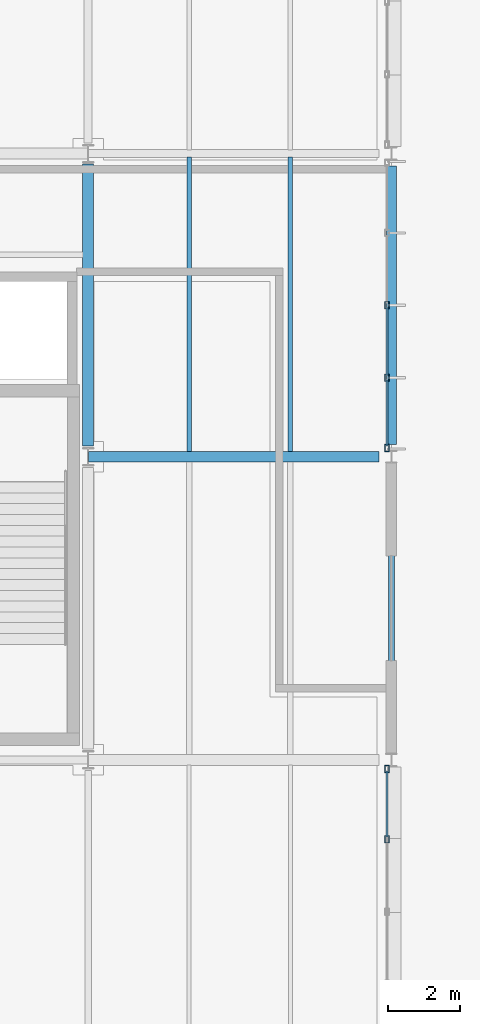
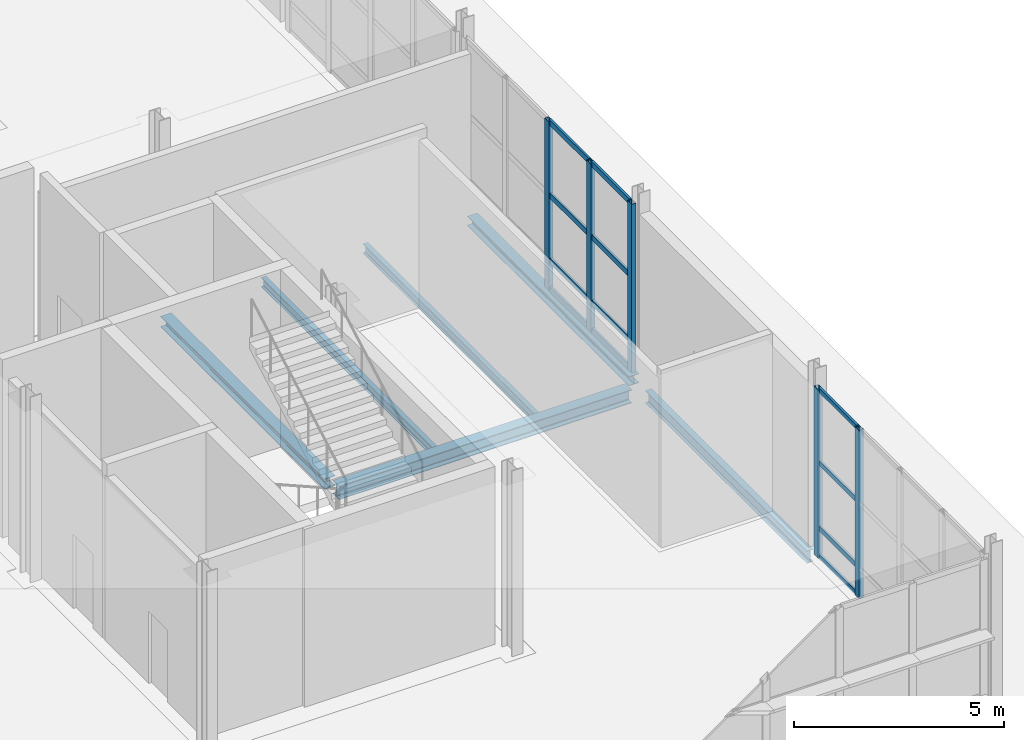
# One storey, part 56 of 124: 17 members, 6 beams, 2 elements without a shape of their own.
"""IFC4 building model written with IfcOpenShell, lengths in metres."""

from ifc_helpers import new_model, si_unit, direction, frame, origin, origin_2d, place, context, subcontext, project, spatial, hollow_rectangle, i_section, extrude, material, material_profile, profile_set, type_object, element, aggregate, save


model = new_model("IFC4")

# Units and contexts
model_context = context("Model", 3, precision=1e-05, world=origin(), true_north=direction((0.0, 1.0)))
body_context = subcontext(model_context, "Body", "Model", "MODEL_VIEW")
ifc_project = project(units=[si_unit("LENGTHUNIT", "METRE"), si_unit("AREAUNIT", "SQUARE_METRE"), si_unit("VOLUMEUNIT", "CUBIC_METRE"), si_unit("PLANEANGLEUNIT", "RADIAN"), si_unit("MASSUNIT", "GRAM", prefix="KILO")], contexts=[model_context])

# Site, building, storey
site_placement = place(None, origin())
site = spatial("IfcSite", under=ifc_project, at=site_placement, CompositionType="ELEMENT")
building_placement = place(site_placement, origin())
building = spatial("IfcBuilding", under=site, at=building_placement, Name="Mersafa Astral City Hall", CompositionType="ELEMENT")
storey_placement = place(building_placement, origin())
storey = spatial("IfcBuildingStorey", under=building, at=storey_placement, Name="L00", CompositionType="ELEMENT", Elevation=0.0)

# Curtain wall, members
ifc_material_1 = material(Name="Anodised bronze aluminium framing", Category="aluminium")
curtain_wall_type_1 = type_object("IfcCurtainWallType", Name="ENV-CW-2", PredefinedType="USERDEFINED", material=ifc_material_1)
curtain_wall_1_placement = place(storey_placement, origin())
curtain_wall_1 = element("IfcCurtainWall", 1, at=curtain_wall_1_placement, inside=storey, type_object=curtain_wall_type_1, Name="L00 Unitised solar curtain wall 25", ObjectType="UNITISED CURTAIN WALL", PredefinedType="USERDEFINED")
ifc_material_profile_1 = material_profile(ifc_material_1, hollow_rectangle(XDim=0.1201171875, YDim=0.199951171875, WallThickness=0.008056640625, at=origin_2d()), Name="RHS 120x200x8")
ifc_profile_set_1 = profile_set([ifc_material_profile_1], Name="Anodised bronze aluminium framing")
member_type_1 = type_object("IfcMemberType", Name="ENV-CW-MUL-2", PredefinedType="MULLION", material=ifc_profile_set_1)
member_1_placement = place(storey_placement, frame((184.679931640625, 48.201416015625, -0.001953125), z_axis=(0.0, 0.0, 1.0), x_axis=(-1.0, 0.0, 0.0)))
member_1 = element("IfcMember", 2, at=member_1_placement, type_object=member_type_1, Name="CW-2 mullion 4", PredefinedType="MULLION", context=body_context, shape_type="SweptSolid", body=[
    extrude(hollow_rectangle(XDim=0.1201171875, YDim=0.199951171875, WallThickness=0.008056640625, at=origin_2d()), origin(), (0.0, 0.0, 1.0), 4.904052734375),
])
member_2_placement = place(storey_placement, frame((184.679931640625, 50.14794921875, -0.001953125), z_axis=(0.0, 0.0, 1.0), x_axis=(-1.0, 0.0, 0.0)))
member_2 = element("IfcMember", 3, at=member_2_placement, type_object=member_type_1, Name="CW-2 mullion 5", PredefinedType="MULLION", context=body_context, shape_type="SweptSolid", body=[
    extrude(hollow_rectangle(XDim=0.1201171875, YDim=0.199951171875, WallThickness=0.008056640625, at=origin_2d()), origin(), (0.0, 0.0, 1.0), 4.904052734375),
])

curtain_wall_type_2 = type_object("IfcCurtainWallType", Name="ENV-CW-3", PredefinedType="USERDEFINED", material=ifc_material_1)
curtain_wall_2_placement = place(storey_placement, origin())
curtain_wall_2 = element("IfcCurtainWall", 4, at=curtain_wall_2_placement, inside=storey, type_object=curtain_wall_type_2, Name="L00 Unitised solar curtain wall 26", ObjectType="UNITISED CURTAIN WALL", PredefinedType="USERDEFINED")
member_3_placement = place(storey_placement, frame((184.679931640625, 59.0419921875, -0.001953125), z_axis=(0.0, 0.0, 1.0), x_axis=(-1.0, 0.0, 0.0)))
member_3 = element("IfcMember", 5, at=member_3_placement, type_object=member_type_1, Name="CW-3 mullion 1", PredefinedType="MULLION", context=body_context, shape_type="SweptSolid", body=[
    extrude(hollow_rectangle(XDim=0.1201171875, YDim=0.199951171875, WallThickness=0.008056640625, at=origin_2d()), origin(), (0.0, 0.0, 1.0), 4.904052734375),
])
member_4_placement = place(storey_placement, frame((184.679931640625, 60.988525390625, -0.001953125), z_axis=(0.0, 0.0, 1.0), x_axis=(-1.0, 0.0, 0.0)))
member_4 = element("IfcMember", 6, at=member_4_placement, type_object=member_type_1, Name="CW-3 mullion 2", PredefinedType="MULLION", context=body_context, shape_type="SweptSolid", body=[
    extrude(hollow_rectangle(XDim=0.1201171875, YDim=0.199951171875, WallThickness=0.008056640625, at=origin_2d()), origin(), (0.0, 0.0, 1.0), 4.904052734375),
])
member_5_placement = place(storey_placement, frame((184.679931640625, 62.9951171875, -0.001953125), z_axis=(0.0, 0.0, 1.0), x_axis=(-1.0, 0.0, 0.0)))
member_5 = element("IfcMember", 7, at=member_5_placement, type_object=member_type_1, Name="CW-3 mullion 3", PredefinedType="MULLION", context=body_context, shape_type="SweptSolid", body=[
    extrude(hollow_rectangle(XDim=0.1201171875, YDim=0.199951171875, WallThickness=0.008056640625, at=origin_2d()), origin(), (0.0, 0.0, 1.0), 4.904052734375),
])

# Member
ifc_material_profile_2 = material_profile(ifc_material_1, hollow_rectangle(XDim=0.06005859375, YDim=0.139892578125, WallThickness=0.00390625, at=origin_2d()), Name="RHS 60x140x4")
ifc_profile_set_2 = profile_set([ifc_material_profile_2], Name="Anodised bronze aluminium framing")
member_type_2 = type_object("IfcMemberType", Name="ENV-CW-TRN-1", PredefinedType="USERDEFINED", material=ifc_profile_set_2)
member_6_placement = place(storey_placement, frame((184.679931640625, 48.261474609375, 0.028076171875), z_axis=(0.0, 1.0, 0.0), x_axis=(-1.0, 0.0, 0.0)))
member_6 = element("IfcMember", 8, at=member_6_placement, type_object=member_type_2, Name="CW-2 transom 4.1", ObjectType="TRANSOM", PredefinedType="USERDEFINED", context=body_context, shape_type="SweptSolid", body=[
    extrude(hollow_rectangle(XDim=0.06005859375, YDim=0.139892578125, WallThickness=0.00390625, at=origin_2d()), origin(), (0.0, 0.0, 1.0), 1.826416015625),
])

member_7_placement = place(storey_placement, frame((184.679931640625, 48.261474609375, 0.85009765625), z_axis=(0.0, 1.0, 0.0), x_axis=(-1.0, 0.0, 0.0)))
member_7 = element("IfcMember", 9, at=member_7_placement, type_object=member_type_2, Name="CW-2 transom 4.2", ObjectType="TRANSOM", PredefinedType="USERDEFINED", context=body_context, shape_type="SweptSolid", body=[
    extrude(hollow_rectangle(XDim=0.06005859375, YDim=0.139892578125, WallThickness=0.00390625, at=origin_2d()), origin(), (0.0, 0.0, 1.0), 1.826416015625),
])

member_8_placement = place(storey_placement, frame((184.679931640625, 48.261474609375, 2.75), z_axis=(0.0, 1.0, 0.0), x_axis=(-1.0, 0.0, 0.0)))
member_8 = element("IfcMember", 10, at=member_8_placement, type_object=member_type_2, Name="CW-2 transom 4.3", ObjectType="TRANSOM", PredefinedType="USERDEFINED", context=body_context, shape_type="SweptSolid", body=[
    extrude(hollow_rectangle(XDim=0.06005859375, YDim=0.139892578125, WallThickness=0.00390625, at=origin_2d()), origin(), (0.0, 0.0, 1.0), 1.826416015625),
])

member_9_placement = place(storey_placement, frame((184.679931640625, 48.261474609375, 4.8720703125), z_axis=(0.0, 1.0, 0.0), x_axis=(-1.0, 0.0, 0.0)))
member_9 = element("IfcMember", 11, at=member_9_placement, type_object=member_type_2, Name="CW-2 transom 4.4", ObjectType="TRANSOM", PredefinedType="USERDEFINED", context=body_context, shape_type="SweptSolid", body=[
    extrude(hollow_rectangle(XDim=0.06005859375, YDim=0.139892578125, WallThickness=0.00390625, at=origin_2d()), origin(), (0.0, 0.0, 1.0), 1.826416015625),
])

aggregate(curtain_wall_1, [member_1, member_2, member_6, member_7, member_8, member_9])

ifc_material_profile_3 = material_profile(ifc_material_1, hollow_rectangle(XDim=0.06005859375, YDim=0.159912109375, WallThickness=0.00390625, at=origin_2d()), Name="RHS 60x160x4")
ifc_profile_set_3 = profile_set([ifc_material_profile_3], Name="Anodised bronze aluminium framing")
member_type_3 = type_object("IfcMemberType", Name="ENV-CW-TRN-2", PredefinedType="USERDEFINED", material=ifc_profile_set_3)
member_10_placement = place(storey_placement, frame((184.679931640625, 59.10205078125, 0.028076171875), z_axis=(0.0, 1.0, 0.0), x_axis=(-1.0, 0.0, 0.0)))
member_10 = element("IfcMember", 12, at=member_10_placement, type_object=member_type_3, Name="CW-3 transom 1.1", ObjectType="TRANSOM", PredefinedType="USERDEFINED", context=body_context, shape_type="SweptSolid", body=[
    extrude(hollow_rectangle(XDim=0.06005859375, YDim=0.159912109375, WallThickness=0.00390625, at=origin_2d()), origin(), (0.0, 0.0, 1.0), 1.826416015625),
])

member_11_placement = place(storey_placement, frame((184.679931640625, 59.10205078125, 0.85009765625), z_axis=(0.0, 1.0, 0.0), x_axis=(-1.0, 0.0, 0.0)))
member_11 = element("IfcMember", 13, at=member_11_placement, type_object=member_type_3, Name="CW-3 transom 1.2", ObjectType="TRANSOM", PredefinedType="USERDEFINED", context=body_context, shape_type="SweptSolid", body=[
    extrude(hollow_rectangle(XDim=0.06005859375, YDim=0.159912109375, WallThickness=0.00390625, at=origin_2d()), origin(), (0.0, 0.0, 1.0), 1.826416015625),
])

member_12_placement = place(storey_placement, frame((184.679931640625, 59.10205078125, 2.75), z_axis=(0.0, 1.0, 0.0), x_axis=(-1.0, 0.0, 0.0)))
member_12 = element("IfcMember", 14, at=member_12_placement, type_object=member_type_3, Name="CW-3 transom 1.3", ObjectType="TRANSOM", PredefinedType="USERDEFINED", context=body_context, shape_type="SweptSolid", body=[
    extrude(hollow_rectangle(XDim=0.06005859375, YDim=0.159912109375, WallThickness=0.00390625, at=origin_2d()), origin(), (0.0, 0.0, 1.0), 1.826416015625),
])

member_13_placement = place(storey_placement, frame((184.679931640625, 59.10205078125, 4.8720703125), z_axis=(0.0, 1.0, 0.0), x_axis=(-1.0, 0.0, 0.0)))
member_13 = element("IfcMember", 15, at=member_13_placement, type_object=member_type_3, Name="CW-3 transom 1.4", ObjectType="TRANSOM", PredefinedType="USERDEFINED", context=body_context, shape_type="SweptSolid", body=[
    extrude(hollow_rectangle(XDim=0.06005859375, YDim=0.159912109375, WallThickness=0.00390625, at=origin_2d()), origin(), (0.0, 0.0, 1.0), 1.826416015625),
])

member_14_placement = place(storey_placement, frame((184.679931640625, 61.048583984375, 0.028076171875), z_axis=(0.0, 1.0, 0.0), x_axis=(-1.0, 0.0, 0.0)))
member_14 = element("IfcMember", 16, at=member_14_placement, type_object=member_type_3, Name="CW-3 transom 2.1", ObjectType="TRANSOM", PredefinedType="USERDEFINED", context=body_context, shape_type="SweptSolid", body=[
    extrude(hollow_rectangle(XDim=0.06005859375, YDim=0.159912109375, WallThickness=0.00390625, at=origin_2d()), origin(), (0.0, 0.0, 1.0), 1.886474609375),
])

member_15_placement = place(storey_placement, frame((184.679931640625, 61.048583984375, 0.85009765625), z_axis=(0.0, 1.0, 0.0), x_axis=(-1.0, 0.0, 0.0)))
member_15 = element("IfcMember", 17, at=member_15_placement, type_object=member_type_3, Name="CW-3 transom 2.2", ObjectType="TRANSOM", PredefinedType="USERDEFINED", context=body_context, shape_type="SweptSolid", body=[
    extrude(hollow_rectangle(XDim=0.06005859375, YDim=0.159912109375, WallThickness=0.00390625, at=origin_2d()), origin(), (0.0, 0.0, 1.0), 1.886474609375),
])

member_16_placement = place(storey_placement, frame((184.679931640625, 61.048583984375, 2.75), z_axis=(0.0, 1.0, 0.0), x_axis=(-1.0, 0.0, 0.0)))
member_16 = element("IfcMember", 18, at=member_16_placement, type_object=member_type_3, Name="CW-3 transom 2.3", ObjectType="TRANSOM", PredefinedType="USERDEFINED", context=body_context, shape_type="SweptSolid", body=[
    extrude(hollow_rectangle(XDim=0.06005859375, YDim=0.159912109375, WallThickness=0.00390625, at=origin_2d()), origin(), (0.0, 0.0, 1.0), 1.886474609375),
])

member_17_placement = place(storey_placement, frame((184.679931640625, 61.048583984375, 4.8720703125), z_axis=(0.0, 1.0, 0.0), x_axis=(-1.0, 0.0, 0.0)))
member_17 = element("IfcMember", 19, at=member_17_placement, type_object=member_type_3, Name="CW-3 transom 2.4", ObjectType="TRANSOM", PredefinedType="USERDEFINED", context=body_context, shape_type="SweptSolid", body=[
    extrude(hollow_rectangle(XDim=0.06005859375, YDim=0.159912109375, WallThickness=0.00390625, at=origin_2d()), origin(), (0.0, 0.0, 1.0), 1.886474609375),
])

aggregate(curtain_wall_2, [member_3, member_4, member_5, member_10, member_11, member_12, member_13, member_14, member_15, member_16, member_17])

# Beams
ifc_material_2 = material(Name="Steel S355", Category="steel")
ifc_material_profile_4 = material_profile(ifc_material_2, i_section(OverallWidth=0.300048828125, OverallDepth=0.31005859375, WebThickness=0.009033203125, FlangeThickness=0.015380859375, FilletRadius=0.027099609375, at=origin_2d()), Name="HEA 320")
ifc_profile_set_4 = profile_set([ifc_material_profile_4], Name="Steel S355")
beam_type_1 = type_object("IfcBeamType", Name="STR-BM-HEA320", PredefinedType="BEAM", material=ifc_profile_set_4)
beam_1_placement = place(storey_placement, frame((176.39990234375, 59.094970703125, -0.405029296875), z_axis=(0.0, 1.0, 0.0), x_axis=(-1.0, 0.0, 0.0)))
element("IfcBeam", 20, at=beam_1_placement, inside=storey, type_object=beam_type_1, Name="L00 Primary girder Y 21-7", PredefinedType="BEAM", context=body_context, shape_type="SweptSolid", body=[
    extrude(i_section(OverallWidth=0.300048828125, OverallDepth=0.31005859375, WebThickness=0.009033203125, FlangeThickness=0.015380859375, FilletRadius=0.027099609375, at=origin_2d()), origin(), (0.0, 0.0, 1.0), 7.81005859375),
])
ifc_material_profile_5 = material_profile(ifc_material_2, i_section(OverallWidth=0.300048828125, OverallDepth=0.389892578125, WebThickness=0.010986328125, FlangeThickness=0.01904296875, FilletRadius=0.027099609375, at=origin_2d()), Name="HEA 400")
ifc_profile_set_5 = profile_set([ifc_material_profile_5], Name="Steel S355")
beam_type_2 = type_object("IfcBeamType", Name="STR-BM-HEA400", PredefinedType="BEAM", material=ifc_profile_set_5)
beam_2_placement = place(storey_placement, frame((176.403076171875, 58.800048828125, -0.445068359375), z_axis=(1.0, 0.0, 0.0), x_axis=(0.0, 1.0, 0.0)))
element("IfcBeam", 21, at=beam_2_placement, inside=storey, type_object=beam_type_2, Name="L00 Primary girder X 21-7", PredefinedType="BEAM", context=body_context, shape_type="SweptSolid", body=[
    extrude(i_section(OverallWidth=0.300048828125, OverallDepth=0.389892578125, WebThickness=0.010986328125, FlangeThickness=0.01904296875, FilletRadius=0.027099609375, at=origin_2d()), origin(), (0.0, 0.0, 1.0), 8.052001953125),
])
ifc_material_profile_6 = material_profile(ifc_material_2, i_section(OverallWidth=0.135009765625, OverallDepth=0.27001953125, WebThickness=0.006591796875, FlangeThickness=0.01025390625, FilletRadius=0.014892578125, at=origin_2d()), Name="IPE 270")
ifc_profile_set_6 = profile_set([ifc_material_profile_6], Name="Steel S355")
beam_type_3 = type_object("IfcBeamType", Name="STR-BM-JOIST-IPE270", PredefinedType="JOIST", material=ifc_profile_set_6)
for number, where, z_axis, x_axis, name in (
    (22, (179.199951171875, 58.945068359375, -0.385009765625), (0.0, 1.0, 0.0), (-1.0, 0.0, 0.0), "L00 Composite secondary floor joist 215"),
    (23, (182.0, 58.945068359375, -0.385009765625), (0.0, 1.0, 0.0), (-1.0, 0.0, 0.0), "L00 Composite secondary floor joist 216"),
):
    element("IfcBeam", number, at=place(storey_placement, frame(where, z_axis=z_axis, x_axis=x_axis)), inside=storey, type_object=beam_type_3, Name=name, PredefinedType="JOIST", context=body_context, shape_type="SweptSolid", body=[
        extrude(i_section(OverallWidth=0.135009765625, OverallDepth=0.27001953125, WebThickness=0.006591796875, FlangeThickness=0.01025390625, FilletRadius=0.014892578125, at=origin_2d()), origin(), (0.0, 0.0, 1.0), 8.155029296875),
    ])
ifc_material_profile_7 = material_profile(ifc_material_2, i_section(OverallWidth=0.280029296875, OverallDepth=0.27001953125, WebThickness=0.008056640625, FlangeThickness=0.012939453125, FilletRadius=0.02392578125, at=origin_2d()), Name="HEA 280")
ifc_profile_set_7 = profile_set([ifc_material_profile_7], Name="Steel S355")
beam_type_4 = type_object("IfcBeamType", Name="STR-BM-SPANDREL-HEA280", PredefinedType="SPANDREL", material=ifc_profile_set_7)
beam_3_placement = place(storey_placement, frame((184.800048828125, 59.14501953125, -0.385009765625), z_axis=(0.0, 1.0, 0.0), x_axis=(-1.0, 0.0, 0.0)))
element("IfcBeam", 24, at=beam_3_placement, inside=storey, type_object=beam_type_4, Name="L00 Primary girder Y 22-7", PredefinedType="SPANDREL", context=body_context, shape_type="SweptSolid", body=[
    extrude(i_section(OverallWidth=0.280029296875, OverallDepth=0.27001953125, WebThickness=0.008056640625, FlangeThickness=0.012939453125, FilletRadius=0.02392578125, at=origin_2d()), origin(), (0.0, 0.0, 1.0), 7.7099609375),
])
ifc_material_profile_8 = material_profile(ifc_material_2, i_section(OverallWidth=0.169921875, OverallDepth=0.360107421875, WebThickness=0.008056640625, FlangeThickness=0.0126953125, FilletRadius=0.01806640625, at=origin_2d()), Name="IPE 360")
ifc_profile_set_8 = profile_set([ifc_material_profile_8], Name="Steel S355")
beam_type_5 = type_object("IfcBeamType", Name="STR-BM-SPANDREL-IPE360", PredefinedType="SPANDREL", material=ifc_profile_set_8)
beam_4_placement = place(storey_placement, frame((184.800048828125, 50.7451171875, -0.429931640625), z_axis=(0.0, 1.0, 0.0), x_axis=(-1.0, 0.0, 0.0)))
element("IfcBeam", 25, at=beam_4_placement, inside=storey, type_object=beam_type_5, Name="L00 Primary girder Y 22-6", PredefinedType="SPANDREL", context=body_context, shape_type="SweptSolid", body=[
    extrude(i_section(OverallWidth=0.169921875, OverallDepth=0.360107421875, WebThickness=0.008056640625, FlangeThickness=0.0126953125, FilletRadius=0.01806640625, at=origin_2d()), origin(), (0.0, 0.0, 1.0), 7.7099609375),
])

save(model, "model.ifc")
